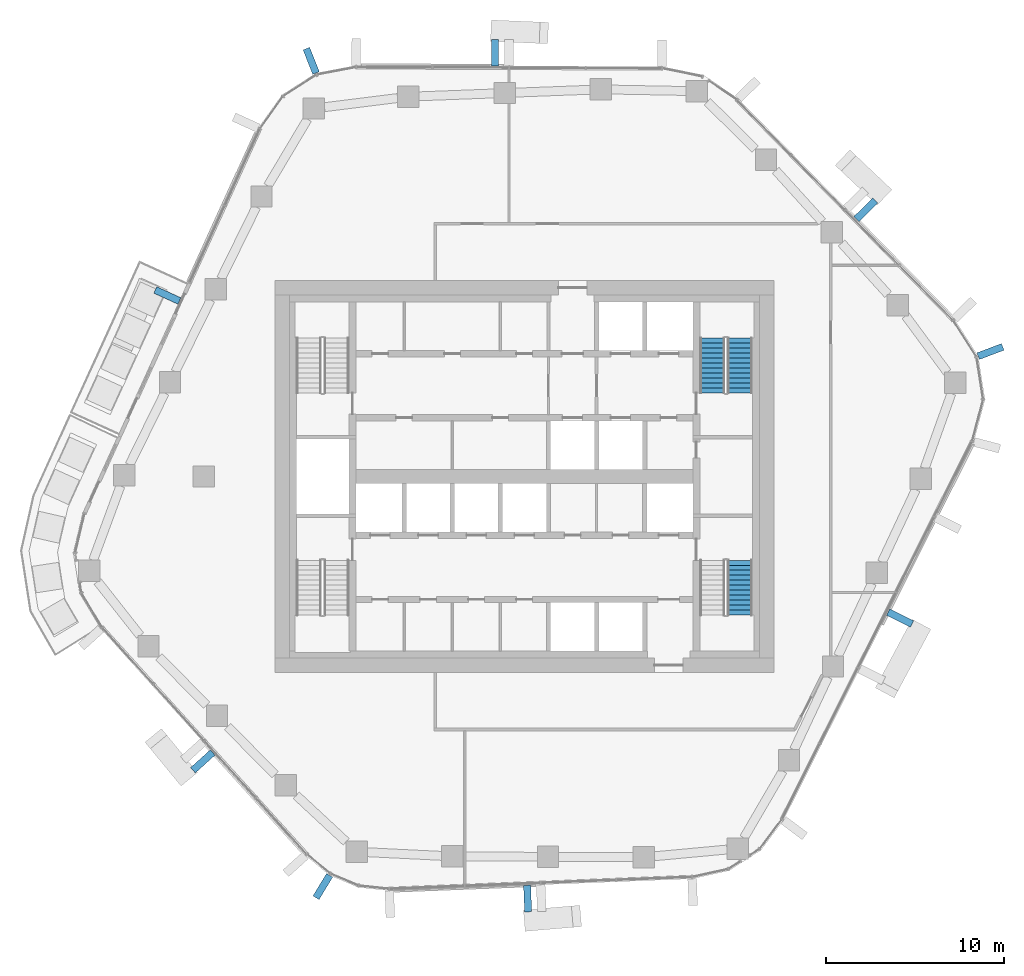
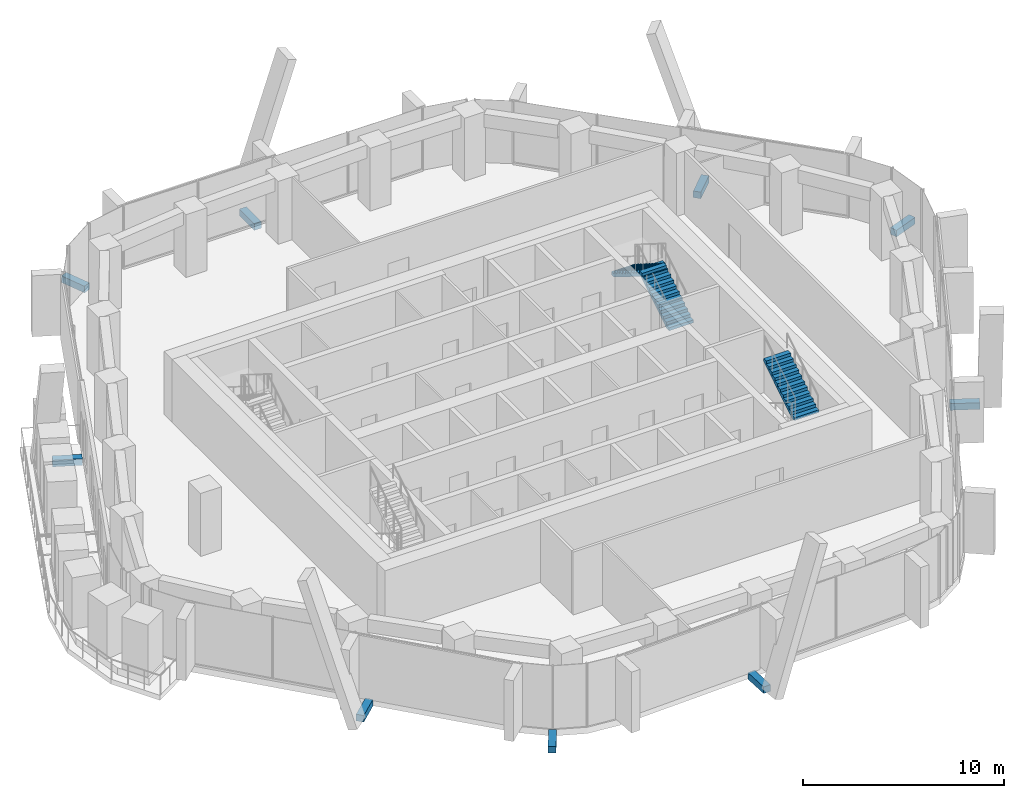
# One storey, part 14 of 19: 9 discrete accessories, 3 stair flights, 2 elements without a shape of their own.
"""IFC4 building model written with IfcOpenShell, lengths in metres."""

from ifc_helpers import new_model, si_unit, direction, frame, origin, origin_2d, place, context, subcontext, project, spatial, polyline, rectangle, outline, extrude, material, layer, layer_set, type_object, element, aggregate, save


model = new_model("IFC4")

# Units and contexts
model_context = context("Model", 3, precision=1e-05, world=origin(), true_north=direction((0.0, 1.0)))
body_context = subcontext(model_context, "Body", "Model", "MODEL_VIEW")
ifc_project = project(units=[si_unit("LENGTHUNIT", "METRE"), si_unit("AREAUNIT", "SQUARE_METRE"), si_unit("VOLUMEUNIT", "CUBIC_METRE"), si_unit("PLANEANGLEUNIT", "RADIAN"), si_unit("MASSUNIT", "GRAM", prefix="KILO")], contexts=[model_context])

# Site, building, storey
site_placement = place(None, origin())
site = spatial("IfcSite", under=ifc_project, at=site_placement, CompositionType="ELEMENT")
building_placement = place(site_placement, origin())
building = spatial("IfcBuilding", under=site, at=building_placement, Name="Dongbaek Canopy Tower", CompositionType="ELEMENT")
storey_placement = place(building_placement, frame((0.0, 0.0, 207.199951171875)))
storey = spatial("IfcBuildingStorey", under=building, at=storey_placement, Name="L43", CompositionType="ELEMENT", Elevation=207.199951171875)

# Stair, stair flights
ifc_material_1 = material(Name="Concrete C40/50", Category="concrete")
stair_type = type_object("IfcStairType", Name="Core exit stair", PredefinedType="HALF_TURN_STAIR", material=ifc_material_1)
stair_1_placement = place(storey_placement, origin())
stair_1 = element("IfcStair", 1, at=stair_1_placement, inside=storey, type_object=stair_type, Name="L43 exit stair A", PredefinedType="HALF_TURN_STAIR")
ifc_material_2 = material(Name="Concrete C40/50", Category="concrete")
ifc_layer = layer(ifc_material_2, 0.14990234375)
ifc_layer_set = layer_set([ifc_layer], Name="Core stair flight 150 waist")
stair_flight_type = type_object("IfcStairFlightType", Name="Core stair flight 150 waist", PredefinedType="STRAIGHT", material=ifc_layer_set)
stair_flight_1_placement = place(storey_placement, frame((12.10009765625, 4.699951171875, 0.0), z_axis=(0.0, 0.0, 1.0), x_axis=(0.0, 1.0, 0.0)))
stair_flight_1 = element("IfcStairFlight", 2, at=stair_flight_1_placement, type_object=stair_flight_type, Name="ST-A flight 1", NumberOfRisers=12, NumberOfTreads=11, PredefinedType="STRAIGHT", RiserHeight=0.175, TreadLength=0.28, context=body_context, shape_type="SweptSolid", body=[
    extrude(outline(polyline([(0.0, 0.0), (0.0, 0.175048828125), (0.280029296875, 0.175048828125), (0.280029296875, 0.35009765625), (0.56005859375, 0.35009765625), (0.56005859375, 0.52490234375), (0.840087890625, 0.52490234375), (0.840087890625, 0.699951171875), (1.1201171875, 0.699951171875), (1.1201171875, 0.875), (1.39990234375, 0.875), (1.39990234375, 1.050048828125), (1.679931640625, 1.050048828125), (1.679931640625, 1.22509765625), (1.9599609375, 1.22509765625), (1.9599609375, 1.39990234375), (2.239990234375, 1.39990234375), (2.239990234375, 1.574951171875), (2.52001953125, 1.574951171875), (2.52001953125, 1.75), (2.800048828125, 1.75), (2.800048828125, 1.925048828125), (3.080078125, 1.925048828125), (3.080078125, 2.10009765625), (3.080078125, 1.748291015625), (0.28271484375, 0.0), (0.0, 0.0)])), frame((0.0, 0.699951171875, 0.0), z_axis=(0.0, -1.0, 0.0), x_axis=(1.0, 0.0, 0.0)), (0.0, 0.0, 1.0), 1.39990234375),
])
stair_flight_2_placement = place(storey_placement, frame((10.550048828125, 7.780029296875, 2.10009765625), z_axis=(0.0, 0.0, 1.0), x_axis=(0.0, -1.0, 0.0)))
stair_flight_2 = element("IfcStairFlight", 3, at=stair_flight_2_placement, type_object=stair_flight_type, Name="ST-A flight 2", NumberOfRisers=12, NumberOfTreads=11, PredefinedType="STRAIGHT", RiserHeight=0.175, TreadLength=0.28, context=body_context, shape_type="SweptSolid", body=[
    extrude(outline(polyline([(0.0, 0.0), (0.0, 0.175048828125), (0.280029296875, 0.175048828125), (0.280029296875, 0.35009765625), (0.56005859375, 0.35009765625), (0.56005859375, 0.52490234375), (0.840087890625, 0.52490234375), (0.840087890625, 0.699951171875), (1.1201171875, 0.699951171875), (1.1201171875, 0.875), (1.39990234375, 0.875), (1.39990234375, 1.050048828125), (1.679931640625, 1.050048828125), (1.679931640625, 1.22509765625), (1.9599609375, 1.22509765625), (1.9599609375, 1.39990234375), (2.239990234375, 1.39990234375), (2.239990234375, 1.574951171875), (2.52001953125, 1.574951171875), (2.52001953125, 1.75), (2.800048828125, 1.75), (2.800048828125, 1.925048828125), (3.080078125, 1.925048828125), (3.080078125, 2.10009765625), (3.080078125, 1.748291015625), (0.28271484375, 0.0), (0.0, 0.0)])), frame((0.0, 0.699951171875, 0.0), z_axis=(0.0, -1.0, 0.0), x_axis=(1.0, 0.0, 0.0)), (0.0, 0.0, 1.0), 1.39990234375),
])
aggregate(stair_1, [stair_flight_1, stair_flight_2])

# Stair, stair flight
stair_2_placement = place(storey_placement, origin())
stair_2 = element("IfcStair", 4, at=stair_2_placement, inside=storey, type_object=stair_type, Name="L43 exit stair B", PredefinedType="HALF_TURN_STAIR")
stair_flight_3_placement = place(storey_placement, frame((12.10009765625, -7.780029296875, 2.10009765625), z_axis=(0.0, 0.0, 1.0), x_axis=(0.0, 1.0, 0.0)))
stair_flight_3 = element("IfcStairFlight", 5, at=stair_flight_3_placement, type_object=stair_flight_type, Name="ST-B flight 2", NumberOfRisers=12, NumberOfTreads=11, PredefinedType="STRAIGHT", RiserHeight=0.175, TreadLength=0.28, context=body_context, shape_type="SweptSolid", body=[
    extrude(outline(polyline([(0.0, 0.0), (0.0, 0.175048828125), (0.280029296875, 0.175048828125), (0.280029296875, 0.35009765625), (0.56005859375, 0.35009765625), (0.56005859375, 0.52490234375), (0.840087890625, 0.52490234375), (0.840087890625, 0.699951171875), (1.1201171875, 0.699951171875), (1.1201171875, 0.875), (1.39990234375, 0.875), (1.39990234375, 1.050048828125), (1.679931640625, 1.050048828125), (1.679931640625, 1.22509765625), (1.9599609375, 1.22509765625), (1.9599609375, 1.39990234375), (2.239990234375, 1.39990234375), (2.239990234375, 1.574951171875), (2.52001953125, 1.574951171875), (2.52001953125, 1.75), (2.800048828125, 1.75), (2.800048828125, 1.925048828125), (3.080078125, 1.925048828125), (3.080078125, 2.10009765625), (3.080078125, 1.748291015625), (0.28271484375, 0.0), (0.0, 0.0)])), frame((0.0, 0.699951171875, 0.0), z_axis=(0.0, -1.0, 0.0), x_axis=(1.0, 0.0, 0.0)), (0.0, 0.0, 1.0), 1.39990234375),
])
aggregate(stair_2, [stair_flight_3])

# Discrete accessories
ifc_material_3 = material(Name="Galvanised steel S355 bracket", Category="steel")
discrete_accessory_type = type_object("IfcDiscreteAccessoryType", Name="Crease fin bracket BR3 400", PredefinedType="BRACKET", material=ifc_material_3)
for number, where, z_axis, x_axis, name in (
    (6, (21.08740234375, -7.94384765625, -0.389892578125), (0.0, 0.0, 1.0), (0.89328118623, -0.449498300694, 0.0), "Crease fin bracket L43 F5"),
    (7, (19.168212890625, 14.97607421875, -0.389892578125), (0.0, 0.0, 1.0), (0.713782386627, 0.700367549606, 0.0), "Crease fin bracket L43 F0"),
    (8, (-1.64990234375, 23.79638671875, -0.389892578125), (0.0, 0.0, 1.0), (0.003675655128, 0.999993244757, 0.0), "Crease fin bracket L43 F1"),
    (9, (-20.04541015625, 10.165283203125, -0.389892578125), (0.0, 0.0, 1.0), (-0.909933041495, 0.414755180794, 0.0), "Crease fin bracket L43 F2"),
    (10, (-18.056640625, -15.9921875, -0.389892578125), (0.0, 0.0, 1.0), (-0.742299876159, -0.670067827801, 0.0), "Crease fin bracket L43 F3"),
    (11, (0.179931640625, -23.69091796875, -0.389892578125), (0.0, 0.0, 1.0), (0.039275511607, -0.999228419426, 0.0), "Crease fin bracket L43 F4"),
):
    element("IfcDiscreteAccessory", number, at=place(storey_placement, frame(where, z_axis=z_axis, x_axis=x_axis)), inside=storey, type_object=discrete_accessory_type, Name=name, PredefinedType="BRACKET", context=body_context, shape_type="SweptSolid", body=[
        extrude(rectangle(XDim=1.489990234375, YDim=0.39990234375, at=origin_2d()), origin(), (0.0, 0.0, 1.0), 0.39990234375),
    ])
for number, where, z_axis, x_axis, name in (
    (12, (26.164794921875, 7.0185546875, -0.389892578125), (0.0, 0.0, 1.0), (0.935235345737, 0.354026620588, 0.0), "Corner fin bracket L43 K0"),
    (13, (-11.97021484375, 23.338134765625, -0.389892578125), (0.0, 0.0, 1.0), (-0.369610535351, 0.929186769254, 0.0), "Corner fin bracket L43 K2"),
    (14, (-11.318603515625, -23.016357421875, -0.389892578125), (0.0, 0.0, 1.0), (-0.51804940258, -0.855350697952, 0.0), "Corner fin bracket L43 K4"),
):
    element("IfcDiscreteAccessory", number, at=place(storey_placement, frame(where, z_axis=z_axis, x_axis=x_axis)), inside=storey, type_object=discrete_accessory_type, Name=name, PredefinedType="BRACKET", context=body_context, shape_type="SweptSolid", body=[
        extrude(rectangle(XDim=1.469970703125, YDim=0.39990234375, at=origin_2d()), origin(), (0.0, 0.0, 1.0), 0.39990234375),
    ])

save(model, "model.ifc")
